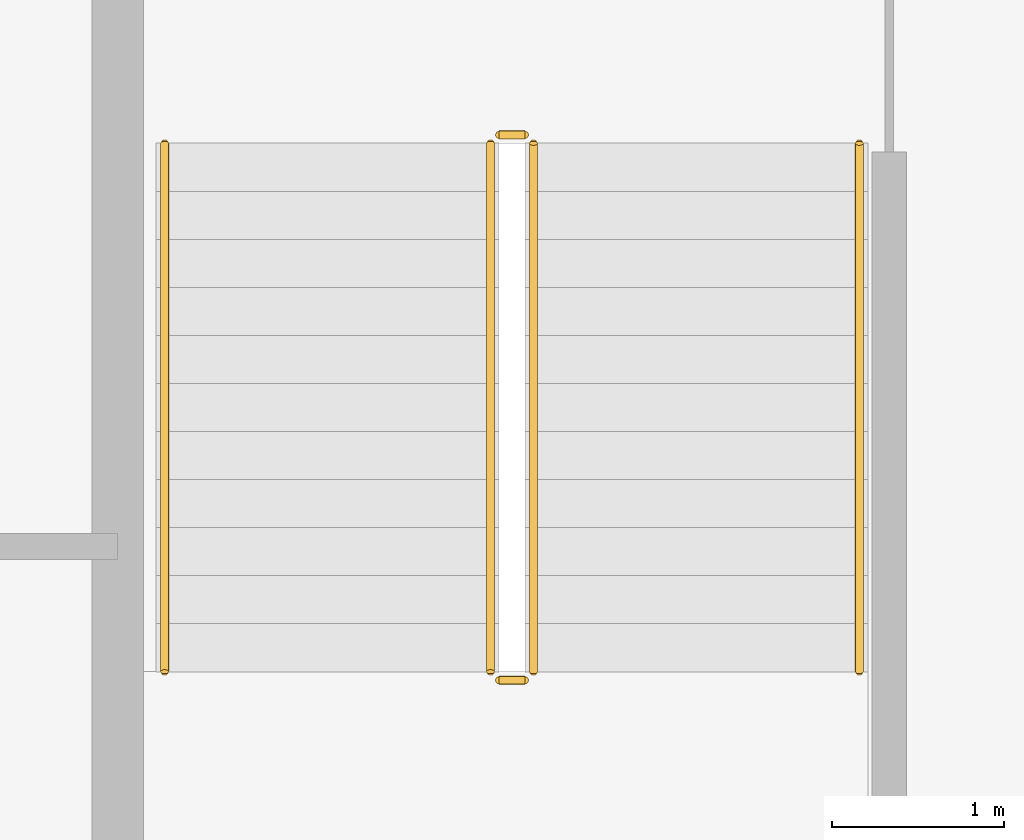
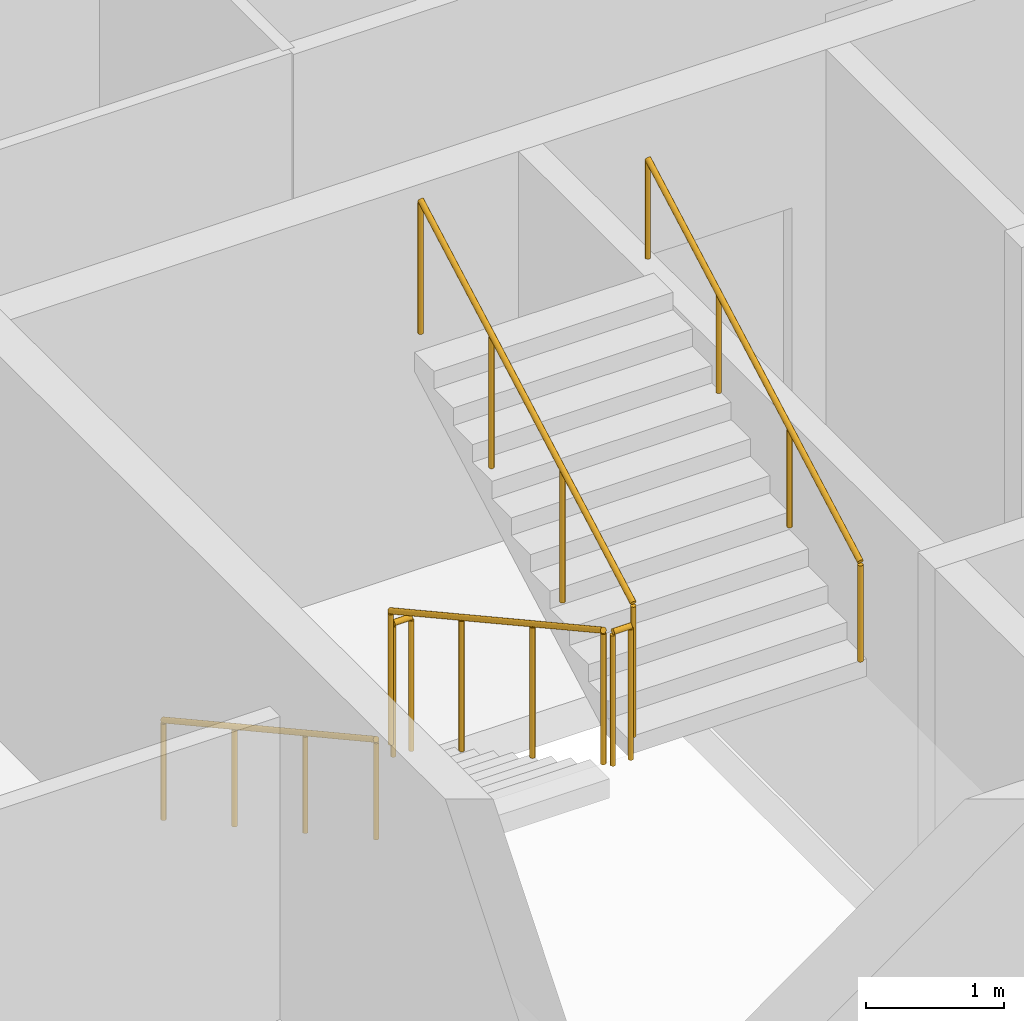
# One storey, part 13 of 15: 6 railings.
"""IFC4 building model written with IfcOpenShell, lengths in metres."""

from ifc_helpers import new_model, si_unit, direction, frame, origin, origin_2d, place, context, subcontext, project, spatial, circle, extrude, material, type_object, element, save


model = new_model("IFC4")

# Units and contexts
model_context = context("Model", 3, precision=1e-05, world=origin(), true_north=direction((0.0, 1.0)))
body_context = subcontext(model_context, "Body", "Model", "MODEL_VIEW")
ifc_project = project(units=[si_unit("LENGTHUNIT", "METRE"), si_unit("AREAUNIT", "SQUARE_METRE"), si_unit("VOLUMEUNIT", "CUBIC_METRE"), si_unit("PLANEANGLEUNIT", "RADIAN"), si_unit("MASSUNIT", "GRAM", prefix="KILO")], contexts=[model_context])

# Site, building, storey
site_placement = place(None, origin())
site = spatial("IfcSite", under=ifc_project, at=site_placement, CompositionType="ELEMENT")
building_placement = place(site_placement, origin())
building = spatial("IfcBuilding", under=site, at=building_placement, Name="Caravel Reach Hotel and Residences", CompositionType="ELEMENT")
storey_placement = place(building_placement, frame((0.0, 0.0, 172.800048828125)))
storey = spatial("IfcBuildingStorey", under=building, at=storey_placement, Name="L43", CompositionType="ELEMENT", Elevation=172.800048828125)

# Railings
ifc_material_1 = material(Name="Steel balustrade with glass infill", Category="steel")
railing_type_1 = type_object("IfcRailingType", Name="Guard 1200", PredefinedType="GUARDRAIL", material=ifc_material_1)
railing_1_placement = place(storey_placement, frame((20.175048828125, 29.35009765625, 0.154052734375)))
element("IfcRailing", 1, at=railing_1_placement, inside=storey, type_object=railing_type_1, Name="L43 ST-A stair guard 1", PredefinedType="GUARDRAIL", context=body_context, shape_type="SweptSolid", body=[
    extrude(circle(Radius=0.02392578125, at=origin_2d()), frame((0.0, 0.0, 1.17578125), z_axis=(0.0, -0.876004717809, 0.482302534076), x_axis=(1.0, 0.0, 0.0)), (0.0, 0.0, 1.0), 3.51611328125),
    extrude(circle(Radius=0.02099609375, at=origin_2d()), origin(), (0.0, 0.0, 1.0), 1.15185546875),
    extrude(circle(Radius=0.02099609375, at=origin_2d()), frame((0.0, -1.026611328125, 0.565185546875)), (0.0, 0.0, 1.0), 1.15185546875),
    extrude(circle(Radius=0.02099609375, at=origin_2d()), frame((0.0, -2.053466796875, 1.130615234375)), (0.0, 0.0, 1.0), 1.15185546875),
    extrude(circle(Radius=0.02099609375, at=origin_2d()), frame((0.0, -3.080078125, 1.69580078125)), (0.0, 0.0, 1.0), 1.15185546875),
])
railing_2_placement = place(storey_placement, frame((20.22509765625, 26.219970703125, 1.849853515625)))
element("IfcRailing", 2, at=railing_2_placement, inside=storey, type_object=railing_type_1, Name="L43 ST-A stair guard 2", PredefinedType="GUARDRAIL", context=body_context, shape_type="SweptSolid", body=[
    extrude(circle(Radius=0.02392578125, at=origin_2d()), frame((0.0, 0.0, 1.17578125), z_axis=(1.0, 0.0, 0.0), x_axis=(0.0, 1.0, 0.0)), (0.0, 0.0, 1.0), 0.14990234375),
    extrude(circle(Radius=0.02099609375, at=origin_2d()), origin(), (0.0, 0.0, 1.0), 1.15185546875),
    extrude(circle(Radius=0.02099609375, at=origin_2d()), frame((0.14990234375, 0.0, 0.0)), (0.0, 0.0, 1.0), 1.15185546875),
])
railing_3_placement = place(storey_placement, frame((20.425048828125, 26.27001953125, 2.004150390625)))
element("IfcRailing", 3, at=railing_3_placement, inside=storey, type_object=railing_type_1, Name="L43 ST-A stair guard 3", PredefinedType="GUARDRAIL", context=body_context, shape_type="SweptSolid", body=[
    extrude(circle(Radius=0.02392578125, at=origin_2d()), frame((0.0, 0.0, 1.17578125), z_axis=(0.0, 0.876004717809, 0.482302534076), x_axis=(-1.0, 0.0, 0.0)), (0.0, 0.0, 1.0), 3.51611328125),
    extrude(circle(Radius=0.02099609375, at=origin_2d()), origin(), (0.0, 0.0, 1.0), 1.15185546875),
    extrude(circle(Radius=0.02099609375, at=origin_2d()), frame((0.0, 1.026611328125, 0.565185546875)), (0.0, 0.0, 1.0), 1.15185546875),
    extrude(circle(Radius=0.02099609375, at=origin_2d()), frame((0.0, 2.053466796875, 1.130615234375)), (0.0, 0.0, 1.0), 1.15185546875),
    extrude(circle(Radius=0.02099609375, at=origin_2d()), frame((0.0, 3.080078125, 1.69580078125)), (0.0, 0.0, 1.0), 1.15185546875),
])
railing_4_placement = place(storey_placement, frame((20.22509765625, 29.39990234375, 0.0)))
element("IfcRailing", 4, at=railing_4_placement, inside=storey, type_object=railing_type_1, Name="L43 ST-A stair guard 4", PredefinedType="GUARDRAIL", context=body_context, shape_type="SweptSolid", body=[
    extrude(circle(Radius=0.02392578125, at=origin_2d()), frame((0.0, 0.0, 1.17578125), z_axis=(1.0, 0.0, 0.0), x_axis=(0.0, 1.0, 0.0)), (0.0, 0.0, 1.0), 0.14990234375),
    extrude(circle(Radius=0.02099609375, at=origin_2d()), origin(), (0.0, 0.0, 1.0), 1.15185546875),
    extrude(circle(Radius=0.02099609375, at=origin_2d()), frame((0.14990234375, 0.0, 0.0)), (0.0, 0.0, 1.0), 1.15185546875),
])
ifc_material_2 = material(Name="Stainless steel handrail", Category="steel")
railing_type_2 = type_object("IfcRailingType", Name="Handrail 900", PredefinedType="HANDRAIL", material=ifc_material_2)
railing_5_placement = place(storey_placement, frame((18.27490234375, 29.35009765625, 0.154052734375)))
element("IfcRailing", 5, at=railing_5_placement, inside=storey, type_object=railing_type_2, Name="L43 ST-A stair handrail 1", PredefinedType="HANDRAIL", context=body_context, shape_type="SweptSolid", body=[
    extrude(circle(Radius=0.02392578125, at=origin_2d()), frame((0.0, 0.0, 0.8759765625), z_axis=(0.0, -0.876004717809, 0.482302534076), x_axis=(1.0, 0.0, 0.0)), (0.0, 0.0, 1.0), 3.51611328125),
    extrude(circle(Radius=0.02099609375, at=origin_2d()), origin(), (0.0, 0.0, 1.0), 0.851806640625),
    extrude(circle(Radius=0.02099609375, at=origin_2d()), frame((0.0, -1.026611328125, 0.565185546875)), (0.0, 0.0, 1.0), 0.851806640625),
    extrude(circle(Radius=0.02099609375, at=origin_2d()), frame((0.0, -2.053466796875, 1.130615234375)), (0.0, 0.0, 1.0), 0.851806640625),
    extrude(circle(Radius=0.02099609375, at=origin_2d()), frame((0.0, -3.080078125, 1.69580078125)), (0.0, 0.0, 1.0), 0.851806640625),
])
railing_6_placement = place(storey_placement, frame((22.324951171875, 26.27001953125, 2.004150390625)))
element("IfcRailing", 6, at=railing_6_placement, inside=storey, type_object=railing_type_2, Name="L43 ST-A stair handrail 2", PredefinedType="HANDRAIL", context=body_context, shape_type="SweptSolid", body=[
    extrude(circle(Radius=0.02392578125, at=origin_2d()), frame((0.0, 0.0, 0.8759765625), z_axis=(0.0, 0.876004717809, 0.482302534076), x_axis=(-1.0, 0.0, 0.0)), (0.0, 0.0, 1.0), 3.51611328125),
    extrude(circle(Radius=0.02099609375, at=origin_2d()), origin(), (0.0, 0.0, 1.0), 0.851806640625),
    extrude(circle(Radius=0.02099609375, at=origin_2d()), frame((0.0, 1.026611328125, 0.565185546875)), (0.0, 0.0, 1.0), 0.851806640625),
    extrude(circle(Radius=0.02099609375, at=origin_2d()), frame((0.0, 2.053466796875, 1.130615234375)), (0.0, 0.0, 1.0), 0.851806640625),
    extrude(circle(Radius=0.02099609375, at=origin_2d()), frame((0.0, 3.080078125, 1.69580078125)), (0.0, 0.0, 1.0), 0.851806640625),
])

save(model, "model.ifc")
